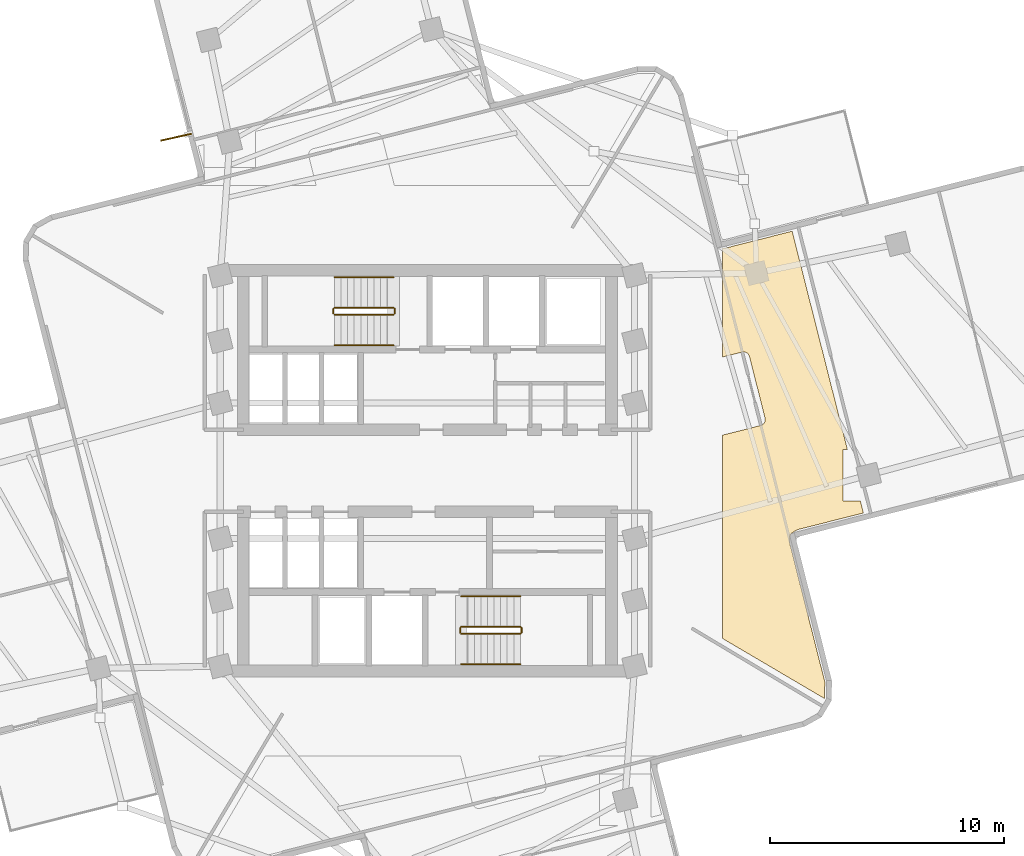
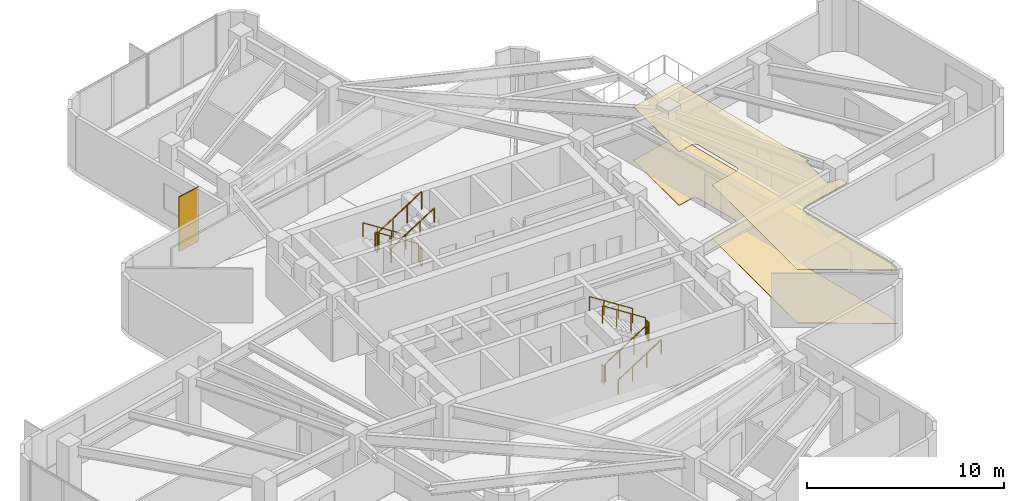
# One storey, part 10 of 11: 12 railings, 2 coverings, 1 shading device.
"""IFC4 building model written with IfcOpenShell, lengths in metres."""

from ifc_helpers import new_model, si_unit, direction, frame, origin, origin_2d, place, context, subcontext, project, spatial, polyline, rectangle, circle, outline, extrude, material, layer, layer_set, type_object, element, save


model = new_model("IFC4")

# Units and contexts
model_context = context("Model", 3, precision=1e-05, world=origin(), true_north=direction((0.0, 1.0)))
body_context = subcontext(model_context, "Body", "Model", "MODEL_VIEW")
ifc_project = project(units=[si_unit("LENGTHUNIT", "METRE"), si_unit("AREAUNIT", "SQUARE_METRE"), si_unit("VOLUMEUNIT", "CUBIC_METRE"), si_unit("PLANEANGLEUNIT", "RADIAN"), si_unit("MASSUNIT", "GRAM", prefix="KILO")], contexts=[model_context])

# Site, building, storey
site_placement = place(None, origin())
site = spatial("IfcSite", under=ifc_project, at=site_placement, CompositionType="ELEMENT")
building_placement = place(site_placement, origin())
building = spatial("IfcBuilding", under=site, at=building_placement, Name="Solmarez Civic Tower", CompositionType="ELEMENT")
storey_placement = place(building_placement, frame((0.0, 0.0, 127.080078125)))
storey = spatial("IfcBuildingStorey", under=building, at=storey_placement, Name="L33", CompositionType="ELEMENT", Elevation=127.080078125)

# Coverings
ifc_material_1 = material(Name="Perforated Mineral-Fibre Acoustic Ceiling")
ifc_layer_1 = layer(ifc_material_1, 0.02490234375)
ifc_layer_set_1 = layer_set([ifc_layer_1], Name="Perforated Mineral-Fibre Acoustic Ceiling")
covering_type_1 = type_object("IfcCoveringType", Name="COV-CEIL-ACOUSTIC", PredefinedType="CEILING", material=ifc_layer_set_1)
covering_1_placement = place(storey_placement, frame((0.0, 0.0, 3.31494140625)))
element("IfcCovering", 1, at=covering_1_placement, inside=storey, type_object=covering_type_1, Name="L33 Suspended Acoustic Ceiling 1", PredefinedType="CEILING", context=body_context, shape_type="SweptSolid", body=[
    extrude(outline(polyline([(12.60009765625, 9.527099609375), (12.60009765625, 4.85888671875), (13.43701171875, 5.070068359375), (13.443115234375, 5.072021484375), (13.451904296875, 5.073974609375), (13.47607421875, 5.077880859375), (13.5, 5.0791015625), (13.5048828125, 5.0791015625), (13.527099609375, 5.077880859375), (13.531982421875, 5.076904296875), (13.5380859375, 5.076904296875), (13.56103515625, 5.072998046875), (13.5830078125, 5.06689453125), (13.60400390625, 5.05908203125), (13.611083984375, 5.055908203125), (13.633056640625, 5.0458984375), (13.653076171875, 5.033935546875), (13.672119140625, 5.01904296875), (13.678955078125, 5.012939453125), (13.69189453125, 5.001953125), (13.698974609375, 4.9951171875), (13.718994140625, 4.970947265625), (13.721923828125, 4.967041015625), (13.736083984375, 4.946044921875), (13.7470703125, 4.924072265625), (13.7509765625, 4.9150390625), (13.760009765625, 4.89306640625), (13.763916015625, 4.875), (14.426025390625, 2.258056640625), (14.428955078125, 2.2470703125), (14.429931640625, 2.241943359375), (14.43310546875, 2.222900390625), (14.43408203125, 2.214111328125), (14.43505859375, 2.19091796875), (14.43408203125, 2.16796875), (14.43310546875, 2.157958984375), (14.428955078125, 2.135009765625), (14.423095703125, 2.112060546875), (14.4150390625, 2.091064453125), (14.412109375, 2.083984375), (14.402099609375, 2.06201171875), (14.389892578125, 2.0419921875), (14.375, 2.02294921875), (14.3701171875, 2.01708984375), (14.362060546875, 2.007080078125), (14.346923828125, 1.991943359375), (14.3310546875, 1.97900390625), (14.322998046875, 1.972900390625), (14.302001953125, 1.958984375), (14.280029296875, 1.947998046875), (14.27099609375, 1.944091796875), (14.2490234375, 1.93505859375), (14.23095703125, 1.930908203125), (12.60009765625, 1.51708984375), (12.60009765625, -7.1630859375), (16.968017578125, -9.735107421875), (16.971923828125, -9.72900390625), (16.98193359375, -9.02099609375), (15.489990234375, -3.1259765625), (15.486083984375, -3.10791015625), (15.485107421875, -3.10205078125), (15.48388671875, -3.096923828125), (15.48291015625, -3.090087890625), (15.48095703125, -3.05908203125), (15.48095703125, -3.049072265625), (15.48291015625, -2.876953125), (15.485107421875, -2.85302734375), (15.486083984375, -2.841064453125), (15.487060546875, -2.833984375), (15.491943359375, -2.81201171875), (15.493896484375, -2.803955078125), (15.4990234375, -2.787109375), (15.5048828125, -2.77001953125), (15.508056640625, -2.762939453125), (15.510986328125, -2.756103515625), (15.52001953125, -2.738037109375), (15.530029296875, -2.720947265625), (15.5400390625, -2.7041015625), (15.552001953125, -2.68896484375), (15.56494140625, -2.674072265625), (15.570068359375, -2.6689453125), (15.5849609375, -2.656005859375), (15.591064453125, -2.65087890625), (15.596923828125, -2.64599609375), (15.615966796875, -2.632080078125), (15.6220703125, -2.6279296875), (15.636962890625, -2.618896484375), (15.7880859375, -2.534912109375), (15.797119140625, -2.530029296875), (15.802978515625, -2.527099609375), (15.80908203125, -2.52392578125), (15.826904296875, -2.51611328125), (15.846923828125, -2.509033203125), (15.85400390625, -2.507080078125), (15.860107421875, -2.506103515625), (18.632080078125, -1.804931640625), (18.5, -1.282958984375), (17.760009765625, -1.282958984375), (17.760009765625, 0.9169921875), (17.943115234375, 0.9169921875), (15.5859375, 10.236083984375), (12.81201171875, 9.533935546875), (12.79296875, 9.530029296875), (12.77197265625, 9.527099609375), (12.762939453125, 9.527099609375), (12.7529296875, 9.52490234375), (12.735107421875, 9.52490234375), (12.60009765625, 9.527099609375)])), origin(), (0.0, 0.0, 1.0), 0.02490234375),
])
ifc_material_2 = material(Name="Polished Tropical Stone Terrazzo Flooring", Category="masonry")
ifc_layer_2 = layer(ifc_material_2, 0.02001953125)
ifc_layer_set_2 = layer_set([ifc_layer_2], Name="Polished Tropical Stone Terrazzo Flooring")
covering_type_2 = type_object("IfcCoveringType", Name="COV-FLOOR-TERRAZZO", PredefinedType="FLOORING", material=ifc_layer_set_2)
covering_2_placement = place(storey_placement, origin())
element("IfcCovering", 2, at=covering_2_placement, inside=storey, type_object=covering_type_2, Name="L33 Terrazzo Floor Finish 1", PredefinedType="FLOORING", context=body_context, shape_type="SweptSolid", body=[
    extrude(outline(polyline([(12.60009765625, 9.527099609375), (12.60009765625, 4.85888671875), (13.43701171875, 5.070068359375), (13.443115234375, 5.072021484375), (13.451904296875, 5.073974609375), (13.47607421875, 5.077880859375), (13.5, 5.0791015625), (13.5048828125, 5.0791015625), (13.527099609375, 5.077880859375), (13.531982421875, 5.076904296875), (13.5380859375, 5.076904296875), (13.56103515625, 5.072998046875), (13.5830078125, 5.06689453125), (13.60400390625, 5.05908203125), (13.611083984375, 5.055908203125), (13.633056640625, 5.0458984375), (13.653076171875, 5.033935546875), (13.672119140625, 5.01904296875), (13.678955078125, 5.012939453125), (13.69189453125, 5.001953125), (13.698974609375, 4.9951171875), (13.718994140625, 4.970947265625), (13.721923828125, 4.967041015625), (13.736083984375, 4.946044921875), (13.7470703125, 4.924072265625), (13.7509765625, 4.9150390625), (13.760009765625, 4.89306640625), (13.763916015625, 4.875), (14.426025390625, 2.258056640625), (14.428955078125, 2.2470703125), (14.429931640625, 2.241943359375), (14.43310546875, 2.222900390625), (14.43408203125, 2.214111328125), (14.43505859375, 2.19091796875), (14.43408203125, 2.16796875), (14.43310546875, 2.157958984375), (14.428955078125, 2.135009765625), (14.423095703125, 2.112060546875), (14.4150390625, 2.091064453125), (14.412109375, 2.083984375), (14.402099609375, 2.06201171875), (14.389892578125, 2.0419921875), (14.375, 2.02294921875), (14.3701171875, 2.01708984375), (14.362060546875, 2.007080078125), (14.346923828125, 1.991943359375), (14.3310546875, 1.97900390625), (14.322998046875, 1.972900390625), (14.302001953125, 1.958984375), (14.280029296875, 1.947998046875), (14.27099609375, 1.944091796875), (14.2490234375, 1.93505859375), (14.23095703125, 1.930908203125), (12.60009765625, 1.51708984375), (12.60009765625, -7.1630859375), (16.968017578125, -9.735107421875), (16.971923828125, -9.72900390625), (16.98193359375, -9.02099609375), (15.489990234375, -3.1259765625), (15.486083984375, -3.10791015625), (15.485107421875, -3.10205078125), (15.48388671875, -3.096923828125), (15.48291015625, -3.090087890625), (15.48095703125, -3.05908203125), (15.48095703125, -3.049072265625), (15.48291015625, -2.876953125), (15.485107421875, -2.85302734375), (15.486083984375, -2.841064453125), (15.487060546875, -2.833984375), (15.491943359375, -2.81201171875), (15.493896484375, -2.803955078125), (15.4990234375, -2.787109375), (15.5048828125, -2.77001953125), (15.508056640625, -2.762939453125), (15.510986328125, -2.756103515625), (15.52001953125, -2.738037109375), (15.530029296875, -2.720947265625), (15.5400390625, -2.7041015625), (15.552001953125, -2.68896484375), (15.56494140625, -2.674072265625), (15.570068359375, -2.6689453125), (15.5849609375, -2.656005859375), (15.591064453125, -2.65087890625), (15.596923828125, -2.64599609375), (15.615966796875, -2.632080078125), (15.6220703125, -2.6279296875), (15.636962890625, -2.618896484375), (15.7880859375, -2.534912109375), (15.797119140625, -2.530029296875), (15.802978515625, -2.527099609375), (15.80908203125, -2.52392578125), (15.826904296875, -2.51611328125), (15.846923828125, -2.509033203125), (15.85400390625, -2.507080078125), (15.860107421875, -2.506103515625), (18.632080078125, -1.804931640625), (18.5, -1.282958984375), (17.760009765625, -1.282958984375), (17.760009765625, 0.9169921875), (17.943115234375, 0.9169921875), (15.5859375, 10.236083984375), (12.81201171875, 9.533935546875), (12.79296875, 9.530029296875), (12.77197265625, 9.527099609375), (12.762939453125, 9.527099609375), (12.7529296875, 9.52490234375), (12.735107421875, 9.52490234375), (12.60009765625, 9.527099609375)])), origin(), (0.0, 0.0, 1.0), 0.02001953125),
])

# Shading device
ifc_material_3 = material(Name="Bronze Anodised Aluminium EN AW-6063 T6", Category="aluminium")
ifc_layer_3 = layer(ifc_material_3, 0.06005859375)
ifc_layer_set_3 = layer_set([ifc_layer_3], Name="Bronze Anodised Aluminium EN AW-6063 T6")
shading_device_type = type_object("IfcShadingDeviceType", Name="FIN-BRONZE-Z34", PredefinedType="USERDEFINED", material=ifc_layer_set_3)
shading_device_placement = place(storey_placement, frame((-10.739013671875, 14.25390625, -0.0400390625), z_axis=(0.0, 0.0, 1.0), x_axis=(-0.97628467303, -0.216490732381, 0.0)))
element("IfcShadingDevice", 3, at=shading_device_placement, inside=storey, type_object=shading_device_type, Name="L33 Anodised Bronze Solar Fin FIN-L33-03", ObjectType="FIN", PredefinedType="USERDEFINED", context=body_context, shape_type="SweptSolid", body=[
    extrude(rectangle(XDim=1.35009765625, YDim=0.06005859375, at=origin_2d()), origin(), (0.0, 0.0, 1.0), 3.3798828125),
])

# Railings
ifc_material_4 = material(Name="Painted Steel Stairwell Safety Guard", Category="steel")
railing_type_1 = type_object("IfcRailingType", Name="GUARD-STAIR-1120", PredefinedType="BALUSTRADE", material=ifc_material_4)
railing_1_placement = place(storey_placement, frame((-1.449951171875, 6.969970703125, 0.179931640625)))
element("IfcRailing", 4, at=railing_1_placement, inside=storey, type_object=railing_type_1, Name="L33 ST-1 stair guard 1", PredefinedType="BALUSTRADE", context=body_context, shape_type="SweptSolid", body=[
    extrude(circle(Radius=0.02392578125, at=origin_2d()), frame((0.0, 0.0, 1.09619140625), z_axis=(-0.841199657755, 0.0, 0.540724639528), x_axis=(0.0, -1.0, 0.0)), (0.0, 0.0, 1.0), 2.995849609375),
    extrude(circle(Radius=0.02099609375, at=origin_2d()), origin(), (0.0, 0.0, 1.0), 1.072021484375),
    extrude(circle(Radius=0.02099609375, at=origin_2d()), frame((-0.840087890625, 0.0, 0.5400390625)), (0.0, 0.0, 1.0), 1.072021484375),
    extrude(circle(Radius=0.02099609375, at=origin_2d()), frame((-1.679931640625, 0.0, 1.079833984375)), (0.0, 0.0, 1.0), 1.072021484375),
    extrude(circle(Radius=0.02099609375, at=origin_2d()), frame((-2.52001953125, 0.0, 1.619873046875)), (0.0, 0.0, 1.0), 1.072021484375),
])
railing_2_placement = place(storey_placement, frame((-4.02001953125, 6.919921875, 1.7998046875)))
element("IfcRailing", 5, at=railing_2_placement, inside=storey, type_object=railing_type_1, Name="L33 ST-1 stair guard 2", PredefinedType="BALUSTRADE", context=body_context, shape_type="SweptSolid", body=[
    extrude(circle(Radius=0.02392578125, at=origin_2d()), frame((0.0, 0.0, 1.09619140625), z_axis=(0.0, -1.0, 0.0), x_axis=(1.0, 0.0, 0.0)), (0.0, 0.0, 1.0), 0.199951171875),
    extrude(circle(Radius=0.02099609375, at=origin_2d()), origin(), (0.0, 0.0, 1.0), 1.072021484375),
    extrude(circle(Radius=0.02099609375, at=origin_2d()), frame((0.0, -0.199951171875, 0.0)), (0.0, 0.0, 1.0), 1.072021484375),
])
railing_3_placement = place(storey_placement, frame((-3.969970703125, 6.669921875, 1.97998046875)))
element("IfcRailing", 6, at=railing_3_placement, inside=storey, type_object=railing_type_1, Name="L33 ST-1 stair guard 3", PredefinedType="BALUSTRADE", context=body_context, shape_type="SweptSolid", body=[
    extrude(circle(Radius=0.02392578125, at=origin_2d()), frame((0.0, 0.0, 1.09619140625), z_axis=(0.841199657755, 0.0, 0.540724639528), x_axis=(0.0, 1.0, 0.0)), (0.0, 0.0, 1.0), 2.995849609375),
    extrude(circle(Radius=0.02099609375, at=origin_2d()), origin(), (0.0, 0.0, 1.0), 1.072021484375),
    extrude(circle(Radius=0.02099609375, at=origin_2d()), frame((0.840087890625, 0.0, 0.5400390625)), (0.0, 0.0, 1.0), 1.072021484375),
    extrude(circle(Radius=0.02099609375, at=origin_2d()), frame((1.679931640625, 0.0, 1.079833984375)), (0.0, 0.0, 1.0), 1.072021484375),
    extrude(circle(Radius=0.02099609375, at=origin_2d()), frame((2.52001953125, 0.0, 1.619873046875)), (0.0, 0.0, 1.0), 1.072021484375),
])
railing_4_placement = place(storey_placement, frame((-1.39990234375, 6.919921875, 0.0)))
element("IfcRailing", 7, at=railing_4_placement, inside=storey, type_object=railing_type_1, Name="L33 ST-1 stair guard 4", PredefinedType="BALUSTRADE", context=body_context, shape_type="SweptSolid", body=[
    extrude(circle(Radius=0.02392578125, at=origin_2d()), frame((0.0, 0.0, 1.09619140625), z_axis=(0.0, -1.0, 0.0), x_axis=(1.0, 0.0, 0.0)), (0.0, 0.0, 1.0), 0.199951171875),
    extrude(circle(Radius=0.02099609375, at=origin_2d()), origin(), (0.0, 0.0, 1.0), 1.072021484375),
    extrude(circle(Radius=0.02099609375, at=origin_2d()), frame((0.0, -0.199951171875, 0.0)), (0.0, 0.0, 1.0), 1.072021484375),
])
railing_5_placement = place(storey_placement, frame((1.449951171875, -6.969970703125, 0.179931640625)))
element("IfcRailing", 8, at=railing_5_placement, inside=storey, type_object=railing_type_1, Name="L33 ST-2 stair guard 1", PredefinedType="BALUSTRADE", context=body_context, shape_type="SweptSolid", body=[
    extrude(circle(Radius=0.02392578125, at=origin_2d()), frame((0.0, 0.0, 1.09619140625), z_axis=(0.841199657755, 0.0, 0.540724639528), x_axis=(0.0, 1.0, 0.0)), (0.0, 0.0, 1.0), 2.995849609375),
    extrude(circle(Radius=0.02099609375, at=origin_2d()), origin(), (0.0, 0.0, 1.0), 1.072021484375),
    extrude(circle(Radius=0.02099609375, at=origin_2d()), frame((0.840087890625, 0.0, 0.5400390625)), (0.0, 0.0, 1.0), 1.072021484375),
    extrude(circle(Radius=0.02099609375, at=origin_2d()), frame((1.679931640625, 0.0, 1.079833984375)), (0.0, 0.0, 1.0), 1.072021484375),
    extrude(circle(Radius=0.02099609375, at=origin_2d()), frame((2.52001953125, 0.0, 1.619873046875)), (0.0, 0.0, 1.0), 1.072021484375),
])
railing_6_placement = place(storey_placement, frame((4.02001953125, -6.919921875, 1.7998046875)))
element("IfcRailing", 9, at=railing_6_placement, inside=storey, type_object=railing_type_1, Name="L33 ST-2 stair guard 2", PredefinedType="BALUSTRADE", context=body_context, shape_type="SweptSolid", body=[
    extrude(circle(Radius=0.02392578125, at=origin_2d()), frame((0.0, 0.0, 1.09619140625), z_axis=(0.0, 1.0, 0.0), x_axis=(-1.0, 0.0, 0.0)), (0.0, 0.0, 1.0), 0.199951171875),
    extrude(circle(Radius=0.02099609375, at=origin_2d()), origin(), (0.0, 0.0, 1.0), 1.072021484375),
    extrude(circle(Radius=0.02099609375, at=origin_2d()), frame((0.0, 0.199951171875, 0.0)), (0.0, 0.0, 1.0), 1.072021484375),
])
railing_7_placement = place(storey_placement, frame((3.969970703125, -6.669921875, 1.97998046875)))
element("IfcRailing", 10, at=railing_7_placement, inside=storey, type_object=railing_type_1, Name="L33 ST-2 stair guard 3", PredefinedType="BALUSTRADE", context=body_context, shape_type="SweptSolid", body=[
    extrude(circle(Radius=0.02392578125, at=origin_2d()), frame((0.0, 0.0, 1.09619140625), z_axis=(-0.841199657755, 0.0, 0.540724639528), x_axis=(0.0, -1.0, 0.0)), (0.0, 0.0, 1.0), 2.995849609375),
    extrude(circle(Radius=0.02099609375, at=origin_2d()), origin(), (0.0, 0.0, 1.0), 1.072021484375),
    extrude(circle(Radius=0.02099609375, at=origin_2d()), frame((-0.840087890625, 0.0, 0.5400390625)), (0.0, 0.0, 1.0), 1.072021484375),
    extrude(circle(Radius=0.02099609375, at=origin_2d()), frame((-1.679931640625, 0.0, 1.079833984375)), (0.0, 0.0, 1.0), 1.072021484375),
    extrude(circle(Radius=0.02099609375, at=origin_2d()), frame((-2.52001953125, 0.0, 1.619873046875)), (0.0, 0.0, 1.0), 1.072021484375),
])
railing_8_placement = place(storey_placement, frame((1.39990234375, -6.919921875, 0.0)))
element("IfcRailing", 11, at=railing_8_placement, inside=storey, type_object=railing_type_1, Name="L33 ST-2 stair guard 4", PredefinedType="BALUSTRADE", context=body_context, shape_type="SweptSolid", body=[
    extrude(circle(Radius=0.02392578125, at=origin_2d()), frame((0.0, 0.0, 1.09619140625), z_axis=(0.0, 1.0, 0.0), x_axis=(-1.0, 0.0, 0.0)), (0.0, 0.0, 1.0), 0.199951171875),
    extrude(circle(Radius=0.02099609375, at=origin_2d()), origin(), (0.0, 0.0, 1.0), 1.072021484375),
    extrude(circle(Radius=0.02099609375, at=origin_2d()), frame((0.0, 0.199951171875, 0.0)), (0.0, 0.0, 1.0), 1.072021484375),
])
ifc_material_5 = material(Name="Brushed Stainless Steel Tube Handrail", Category="steel")
railing_type_2 = type_object("IfcRailingType", Name="HANDRAIL-STAIR-900", PredefinedType="HANDRAIL", material=ifc_material_5)
railing_9_placement = place(storey_placement, frame((-1.449951171875, 8.27001953125, 0.179931640625)))
element("IfcRailing", 12, at=railing_9_placement, inside=storey, type_object=railing_type_2, Name="L33 ST-1 stair handrail 1", PredefinedType="HANDRAIL", context=body_context, shape_type="SweptSolid", body=[
    extrude(circle(Radius=0.02392578125, at=origin_2d()), frame((0.0, 0.0, 0.8759765625), z_axis=(-0.841199657755, 0.0, 0.540724639528), x_axis=(0.0, -1.0, 0.0)), (0.0, 0.0, 1.0), 2.995849609375),
    extrude(circle(Radius=0.02099609375, at=origin_2d()), origin(), (0.0, 0.0, 1.0), 0.851806640625),
    extrude(circle(Radius=0.02099609375, at=origin_2d()), frame((-0.840087890625, 0.0, 0.5400390625)), (0.0, 0.0, 1.0), 0.851806640625),
    extrude(circle(Radius=0.02099609375, at=origin_2d()), frame((-1.679931640625, 0.0, 1.079833984375)), (0.0, 0.0, 1.0), 0.851806640625),
    extrude(circle(Radius=0.02099609375, at=origin_2d()), frame((-2.52001953125, 0.0, 1.619873046875)), (0.0, 0.0, 1.0), 0.851806640625),
])
for number, where, name in (
    (13, (-3.969970703125, 5.3701171875, 1.97998046875), "L33 ST-1 stair handrail 2"),
    (14, (1.449951171875, -8.27001953125, 0.179931640625), "L33 ST-2 stair handrail 1"),
):
    element("IfcRailing", number, at=place(storey_placement, frame(where)), inside=storey, type_object=railing_type_2, Name=name, PredefinedType="HANDRAIL", context=body_context, shape_type="SweptSolid", body=[
        extrude(circle(Radius=0.02392578125, at=origin_2d()), frame((0.0, 0.0, 0.8759765625), z_axis=(0.841199657755, 0.0, 0.540724639528), x_axis=(0.0, 1.0, 0.0)), (0.0, 0.0, 1.0), 2.995849609375),
        extrude(circle(Radius=0.02099609375, at=origin_2d()), origin(), (0.0, 0.0, 1.0), 0.851806640625),
        extrude(circle(Radius=0.02099609375, at=origin_2d()), frame((0.840087890625, 0.0, 0.5400390625)), (0.0, 0.0, 1.0), 0.851806640625),
        extrude(circle(Radius=0.02099609375, at=origin_2d()), frame((1.679931640625, 0.0, 1.079833984375)), (0.0, 0.0, 1.0), 0.851806640625),
        extrude(circle(Radius=0.02099609375, at=origin_2d()), frame((2.52001953125, 0.0, 1.619873046875)), (0.0, 0.0, 1.0), 0.851806640625),
    ])
railing_10_placement = place(storey_placement, frame((3.969970703125, -5.3701171875, 1.97998046875)))
element("IfcRailing", 15, at=railing_10_placement, inside=storey, type_object=railing_type_2, Name="L33 ST-2 stair handrail 2", PredefinedType="HANDRAIL", context=body_context, shape_type="SweptSolid", body=[
    extrude(circle(Radius=0.02392578125, at=origin_2d()), frame((0.0, 0.0, 0.8759765625), z_axis=(-0.841199657755, 0.0, 0.540724639528), x_axis=(0.0, -1.0, 0.0)), (0.0, 0.0, 1.0), 2.995849609375),
    extrude(circle(Radius=0.02099609375, at=origin_2d()), origin(), (0.0, 0.0, 1.0), 0.851806640625),
    extrude(circle(Radius=0.02099609375, at=origin_2d()), frame((-0.840087890625, 0.0, 0.5400390625)), (0.0, 0.0, 1.0), 0.851806640625),
    extrude(circle(Radius=0.02099609375, at=origin_2d()), frame((-1.679931640625, 0.0, 1.079833984375)), (0.0, 0.0, 1.0), 0.851806640625),
    extrude(circle(Radius=0.02099609375, at=origin_2d()), frame((-2.52001953125, 0.0, 1.619873046875)), (0.0, 0.0, 1.0), 0.851806640625),
])

save(model, "model.ifc")
